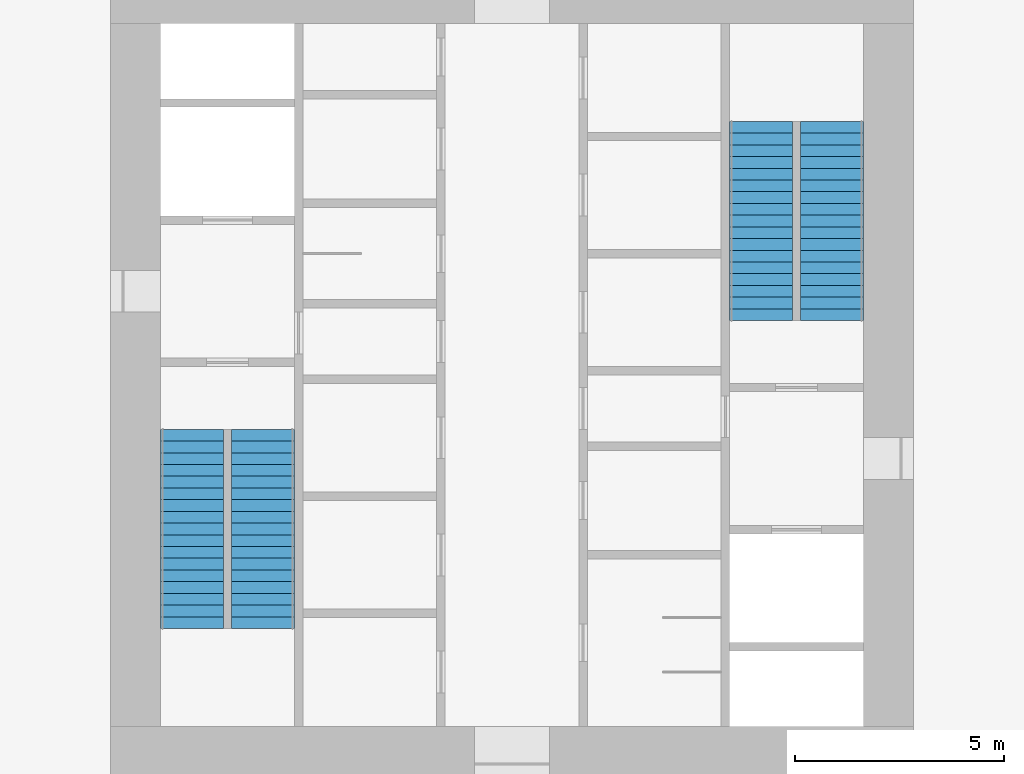
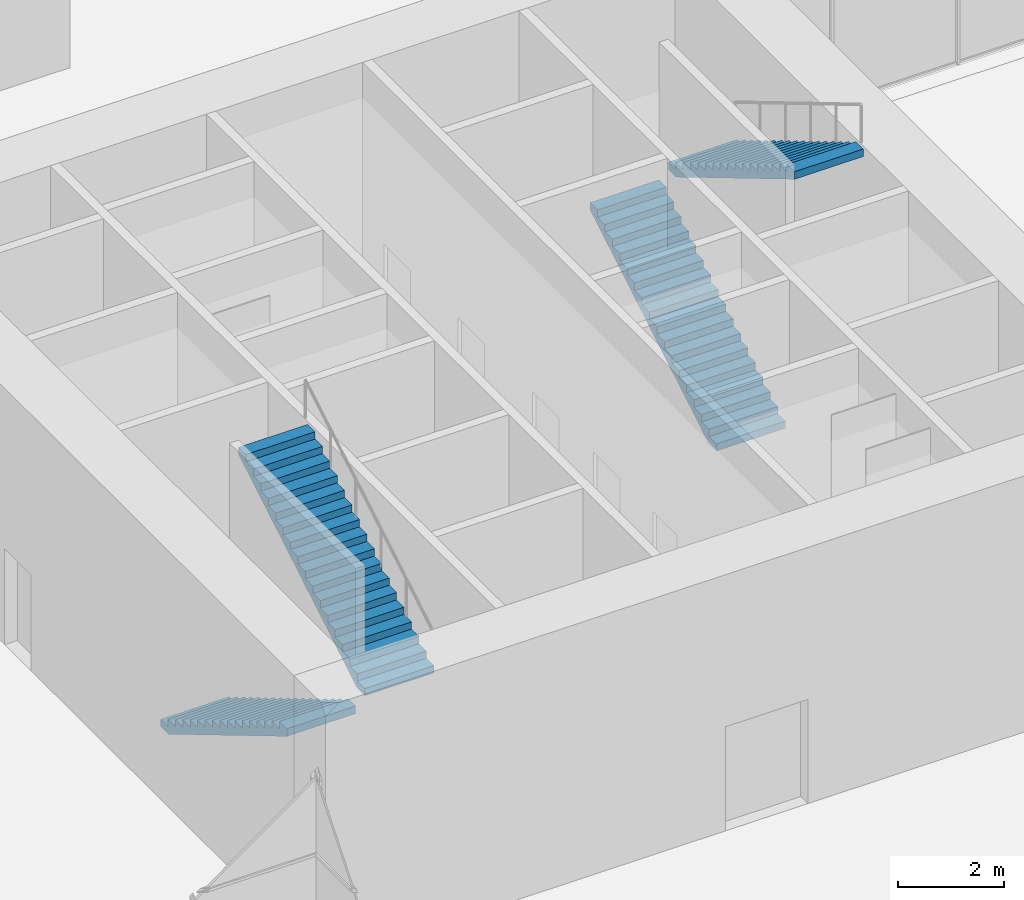
# One storey, part 10 of 11: 4 stair flights, 2 elements without a shape of their own.
"""IFC4 building model written with IfcOpenShell, lengths in metres."""

from ifc_helpers import new_model, si_unit, direction, frame, origin, place, context, subcontext, project, spatial, polyline, outline, extrude, material, type_object, element, aggregate, save


model = new_model("IFC4")

# Units and contexts
model_context = context("Model", 3, precision=1e-05, world=origin(), true_north=direction((0.0, 1.0)))
body_context = subcontext(model_context, "Body", "Model", "MODEL_VIEW")
ifc_project = project(units=[si_unit("LENGTHUNIT", "METRE"), si_unit("AREAUNIT", "SQUARE_METRE"), si_unit("VOLUMEUNIT", "CUBIC_METRE"), si_unit("PLANEANGLEUNIT", "RADIAN"), si_unit("MASSUNIT", "GRAM", prefix="KILO")], contexts=[model_context])

# Site, building, storey
site_placement = place(None, origin())
site = spatial("IfcSite", under=ifc_project, at=site_placement, CompositionType="ELEMENT")
building_placement = place(site_placement, origin())
building = spatial("IfcBuilding", under=site, at=building_placement, Name="Svetlomir Tower", CompositionType="ELEMENT")
storey_placement = place(building_placement, frame((0.0, 0.0, 277.89990234375)))
storey = spatial("IfcBuildingStorey", under=building, at=storey_placement, Name="L66", CompositionType="ELEMENT", Elevation=277.89990234375)

# Stair, stair flights
ifc_material_1 = material(Name="Concrete C60/75", Category="concrete")
stair_type = type_object("IfcStairType", Name="EXIT STAIR 3200 RISE 6000", PredefinedType="HALF_TURN_STAIR", material=ifc_material_1)
stair_1_placement = place(storey_placement, origin())
stair_1 = element("IfcStair", 1, at=stair_1_placement, inside=storey, type_object=stair_type, Name="Stair S1 L66 to L67", PredefinedType="HALF_TURN_STAIR")
ifc_material_2 = material(Name="Concrete C60/75", Category="concrete")
stair_flight_type = type_object("IfcStairFlightType", Name="STAIR FLIGHT 1500 OF 18 RISERS", PredefinedType="STRAIGHT", material=ifc_material_2)
stair_flight_1_placement = place(storey_placement, frame((13.35009765625, 19.699951171875, 0.0), z_axis=(0.0, 0.0, 1.0), x_axis=(0.0, -1.0, 0.0)))
stair_flight_1 = element("IfcStairFlight", 2, at=stair_flight_1_placement, type_object=stair_flight_type, Name="S1 flight 1", NumberOfRisers=18, NumberOfTreads=17, PredefinedType="STRAIGHT", RiserHeight=0.166666667, TreadLength=0.28, context=body_context, shape_type="SweptSolid", body=[
    extrude(outline(polyline([(0.0, 0.0), (0.0, 0.166748046875), (0.280029296875, 0.166748046875), (0.280029296875, 0.333251953125), (0.56005859375, 0.333251953125), (0.56005859375, 0.5), (0.840087890625, 0.5), (0.840087890625, 0.666748046875), (1.1201171875, 0.666748046875), (1.1201171875, 0.833251953125), (1.39990234375, 0.833251953125), (1.39990234375, 1.0), (1.679931640625, 1.0), (1.679931640625, 1.166748046875), (1.9599609375, 1.166748046875), (1.9599609375, 1.333251953125), (2.239990234375, 1.333251953125), (2.239990234375, 1.5), (2.52001953125, 1.5), (2.52001953125, 1.666748046875), (2.800048828125, 1.666748046875), (2.800048828125, 1.833251953125), (3.080078125, 1.833251953125), (3.080078125, 2.0), (3.360107421875, 2.0), (3.360107421875, 2.166748046875), (3.639892578125, 2.166748046875), (3.639892578125, 2.333251953125), (3.919921875, 2.333251953125), (3.919921875, 2.5), (4.199951171875, 2.5), (4.199951171875, 2.666748046875), (4.47998046875, 2.666748046875), (4.47998046875, 2.833251953125), (4.760009765625, 2.833251953125), (4.760009765625, 3.0), (4.760009765625, 2.658935546875), (0.29296875, 0.0), (0.0, 0.0)])), frame((0.0, 0.75, 0.0), z_axis=(0.0, -1.0, 0.0), x_axis=(1.0, 0.0, 0.0)), (0.0, 0.0, 1.0), 1.5),
])
stair_flight_2_placement = place(storey_placement, frame((15.050048828125, 14.93994140625, 3.0), z_axis=(0.0, 0.0, 1.0), x_axis=(0.0, 1.0, 0.0)))
stair_flight_2 = element("IfcStairFlight", 3, at=stair_flight_2_placement, type_object=stair_flight_type, Name="S1 flight 2", NumberOfRisers=18, NumberOfTreads=17, PredefinedType="STRAIGHT", RiserHeight=0.166666667, TreadLength=0.28, context=body_context, shape_type="SweptSolid", body=[
    extrude(outline(polyline([(0.0, 0.0), (0.0, 0.166748046875), (0.280029296875, 0.166748046875), (0.280029296875, 0.333251953125), (0.56005859375, 0.333251953125), (0.56005859375, 0.5), (0.840087890625, 0.5), (0.840087890625, 0.666748046875), (1.1201171875, 0.666748046875), (1.1201171875, 0.833251953125), (1.39990234375, 0.833251953125), (1.39990234375, 1.0), (1.679931640625, 1.0), (1.679931640625, 1.166748046875), (1.9599609375, 1.166748046875), (1.9599609375, 1.333251953125), (2.239990234375, 1.333251953125), (2.239990234375, 1.5), (2.52001953125, 1.5), (2.52001953125, 1.666748046875), (2.800048828125, 1.666748046875), (2.800048828125, 1.833251953125), (3.080078125, 1.833251953125), (3.080078125, 2.0), (3.360107421875, 2.0), (3.360107421875, 2.166748046875), (3.639892578125, 2.166748046875), (3.639892578125, 2.333251953125), (3.919921875, 2.333251953125), (3.919921875, 2.5), (4.199951171875, 2.5), (4.199951171875, 2.666748046875), (4.47998046875, 2.666748046875), (4.47998046875, 2.833251953125), (4.760009765625, 2.833251953125), (4.760009765625, 3.0), (4.760009765625, 2.658935546875), (0.29296875, 0.0), (0.0, 0.0)])), frame((0.0, 0.75, 0.0), z_axis=(0.0, -1.0, 0.0), x_axis=(1.0, 0.0, 0.0)), (0.0, 0.0, 1.0), 1.5),
])
aggregate(stair_1, [stair_flight_1, stair_flight_2])

stair_2_placement = place(storey_placement, origin())
stair_2 = element("IfcStair", 4, at=stair_2_placement, inside=storey, type_object=stair_type, Name="Stair S2 L66 to L67", PredefinedType="HALF_TURN_STAIR")
stair_flight_3_placement = place(storey_placement, frame((26.949951171875, 22.300048828125, 0.0), z_axis=(0.0, 0.0, 1.0), x_axis=(0.0, 1.0, 0.0)))
stair_flight_3 = element("IfcStairFlight", 5, at=stair_flight_3_placement, type_object=stair_flight_type, Name="S2 flight 1", NumberOfRisers=18, NumberOfTreads=17, PredefinedType="STRAIGHT", RiserHeight=0.166666667, TreadLength=0.28, context=body_context, shape_type="SweptSolid", body=[
    extrude(outline(polyline([(0.0, 0.0), (0.0, 0.166748046875), (0.280029296875, 0.166748046875), (0.280029296875, 0.333251953125), (0.56005859375, 0.333251953125), (0.56005859375, 0.5), (0.840087890625, 0.5), (0.840087890625, 0.666748046875), (1.1201171875, 0.666748046875), (1.1201171875, 0.833251953125), (1.39990234375, 0.833251953125), (1.39990234375, 1.0), (1.679931640625, 1.0), (1.679931640625, 1.166748046875), (1.9599609375, 1.166748046875), (1.9599609375, 1.333251953125), (2.239990234375, 1.333251953125), (2.239990234375, 1.5), (2.52001953125, 1.5), (2.52001953125, 1.666748046875), (2.800048828125, 1.666748046875), (2.800048828125, 1.833251953125), (3.080078125, 1.833251953125), (3.080078125, 2.0), (3.360107421875, 2.0), (3.360107421875, 2.166748046875), (3.639892578125, 2.166748046875), (3.639892578125, 2.333251953125), (3.919921875, 2.333251953125), (3.919921875, 2.5), (4.199951171875, 2.5), (4.199951171875, 2.666748046875), (4.47998046875, 2.666748046875), (4.47998046875, 2.833251953125), (4.760009765625, 2.833251953125), (4.760009765625, 3.0), (4.760009765625, 2.658935546875), (0.29296875, 0.0), (0.0, 0.0)])), frame((0.0, 0.75, 0.0), z_axis=(0.0, -1.0, 0.0), x_axis=(1.0, 0.0, 0.0)), (0.0, 0.0, 1.0), 1.5),
])
stair_flight_4_placement = place(storey_placement, frame((28.64990234375, 27.06005859375, 3.0), z_axis=(0.0, 0.0, 1.0), x_axis=(0.0, -1.0, 0.0)))
stair_flight_4 = element("IfcStairFlight", 6, at=stair_flight_4_placement, type_object=stair_flight_type, Name="S2 flight 2", NumberOfRisers=18, NumberOfTreads=17, PredefinedType="STRAIGHT", RiserHeight=0.166666667, TreadLength=0.28, context=body_context, shape_type="SweptSolid", body=[
    extrude(outline(polyline([(0.0, 0.0), (0.0, 0.166748046875), (0.280029296875, 0.166748046875), (0.280029296875, 0.333251953125), (0.56005859375, 0.333251953125), (0.56005859375, 0.5), (0.840087890625, 0.5), (0.840087890625, 0.666748046875), (1.1201171875, 0.666748046875), (1.1201171875, 0.833251953125), (1.39990234375, 0.833251953125), (1.39990234375, 1.0), (1.679931640625, 1.0), (1.679931640625, 1.166748046875), (1.9599609375, 1.166748046875), (1.9599609375, 1.333251953125), (2.239990234375, 1.333251953125), (2.239990234375, 1.5), (2.52001953125, 1.5), (2.52001953125, 1.666748046875), (2.800048828125, 1.666748046875), (2.800048828125, 1.833251953125), (3.080078125, 1.833251953125), (3.080078125, 2.0), (3.360107421875, 2.0), (3.360107421875, 2.166748046875), (3.639892578125, 2.166748046875), (3.639892578125, 2.333251953125), (3.919921875, 2.333251953125), (3.919921875, 2.5), (4.199951171875, 2.5), (4.199951171875, 2.666748046875), (4.47998046875, 2.666748046875), (4.47998046875, 2.833251953125), (4.760009765625, 2.833251953125), (4.760009765625, 3.0), (4.760009765625, 2.658935546875), (0.29296875, 0.0), (0.0, 0.0)])), frame((0.0, 0.75, 0.0), z_axis=(0.0, -1.0, 0.0), x_axis=(1.0, 0.0, 0.0)), (0.0, 0.0, 1.0), 1.5),
])
aggregate(stair_2, [stair_flight_3, stair_flight_4])

save(model, "model.ifc")
